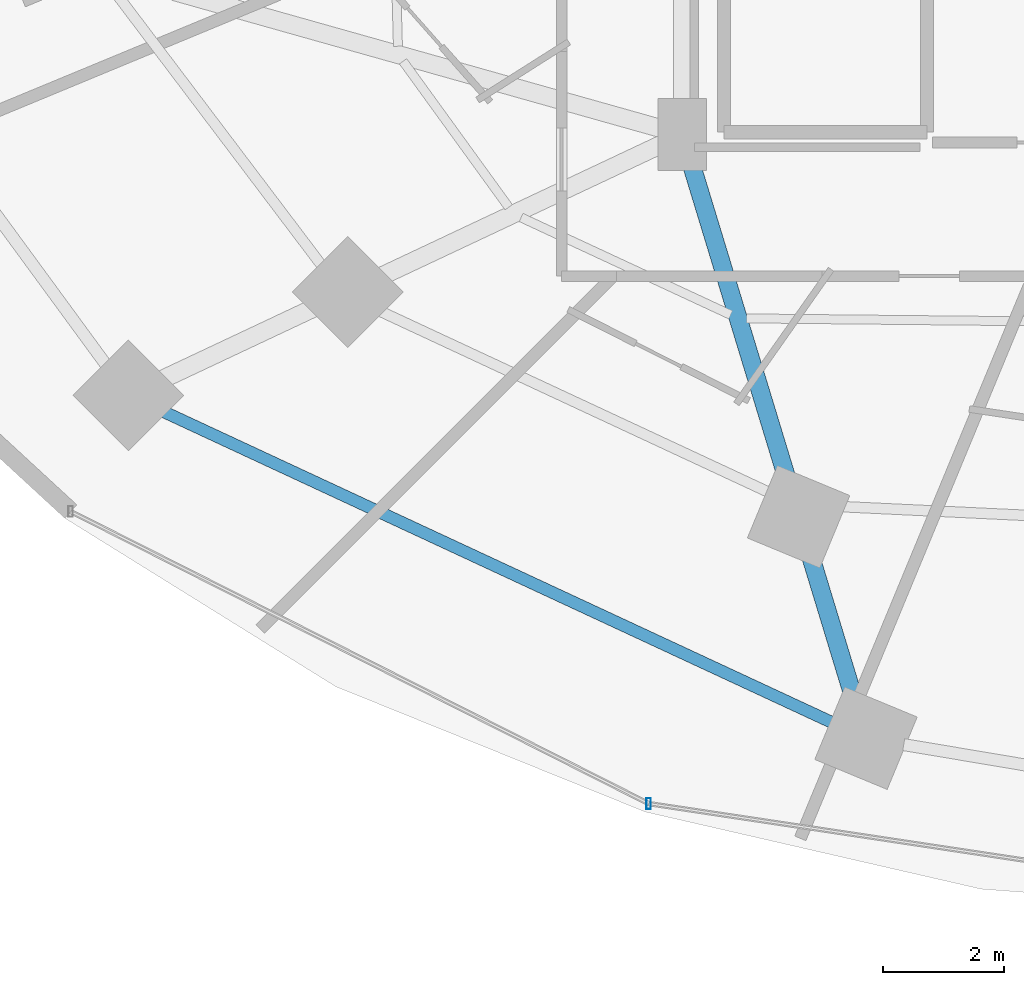
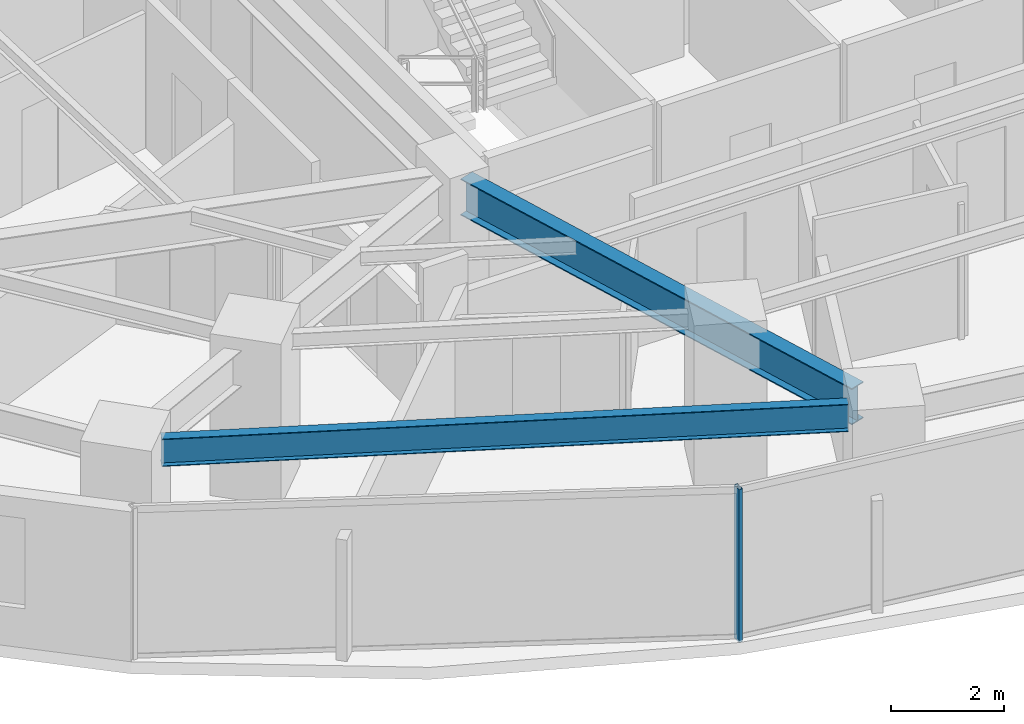
# One storey, part 5 of 34: 2 beams, 1 member, 1 element without a shape of its own.
"""IFC4 building model written with IfcOpenShell, lengths in metres."""

from ifc_helpers import new_model, si_unit, direction, frame, origin, origin_2d, place, context, subcontext, project, spatial, hollow_rectangle, i_section, extrude, material, material_profile, profile_set, type_object, element, aggregate, save


model = new_model("IFC4")

# Units and contexts
model_context = context("Model", 3, precision=1e-05, world=origin(), true_north=direction((0.0, 1.0)))
body_context = subcontext(model_context, "Body", "Model", "MODEL_VIEW")
ifc_project = project(units=[si_unit("LENGTHUNIT", "METRE"), si_unit("AREAUNIT", "SQUARE_METRE"), si_unit("VOLUMEUNIT", "CUBIC_METRE"), si_unit("PLANEANGLEUNIT", "RADIAN"), si_unit("MASSUNIT", "GRAM", prefix="KILO")], contexts=[model_context])

# Site, building, storey
site_placement = place(None, origin())
site = spatial("IfcSite", under=ifc_project, at=site_placement, CompositionType="ELEMENT")
building_placement = place(site_placement, origin())
building = spatial("IfcBuilding", under=site, at=building_placement, Name="Vorneva Point Tower", CompositionType="ELEMENT")
storey_placement = place(building_placement, frame((0.0, 0.0, 27.5)))
storey = spatial("IfcBuildingStorey", under=building, at=storey_placement, Name="L06", CompositionType="ELEMENT", Elevation=27.5)

# Beams
ifc_material_1 = material(Name="Steel S355", Category="steel")
ifc_material_profile_1 = material_profile(ifc_material_1, i_section(OverallWidth=0.300048828125, OverallDepth=0.7880859375, WebThickness=0.014404296875, FlangeThickness=0.02197265625, at=origin_2d()), Name="80Sh1")
ifc_profile_set_1 = profile_set([ifc_material_profile_1], Name="Steel S355")
beam_type_1 = type_object("IfcBeamType", Name="BM-GRD-80Sh1", PredefinedType="USERDEFINED", material=ifc_profile_set_1)
beam_1_placement = place(storey_placement, frame((30.111083984375, 7.045654296875, 2.845947265625), z_axis=(-0.29104183924, 0.956710325967, 0.0), x_axis=(-0.956710325967, -0.29104183924, 0.0)))
element("IfcBeam", 1, at=beam_1_placement, inside=storey, type_object=beam_type_1, Name="L06 Radial Primary Girder 12", ObjectType="GIRDER", PredefinedType="USERDEFINED", context=body_context, shape_type="SweptSolid", body=[
    extrude(i_section(OverallWidth=0.300048828125, OverallDepth=0.7880859375, WebThickness=0.014404296875, FlangeThickness=0.02197265625, at=origin_2d()), origin(), (0.0, 0.0, 1.0), 9.489990234375),
])
ifc_material_profile_2 = material_profile(ifc_material_1, i_section(OverallWidth=0.198974609375, OverallDepth=0.595947265625, WebThickness=0.010009765625, FlangeThickness=0.014892578125, at=origin_2d()), Name="60B1")
ifc_profile_set_2 = profile_set([ifc_material_profile_2], Name="Steel S355")
beam_type_2 = type_object("IfcBeamType", Name="BM-SPN-60B1", PredefinedType="SPANDREL", material=ifc_profile_set_2)
beam_2_placement = place(storey_placement, frame((18.63720703125, 11.8564453125, 2.94189453125), z_axis=(0.906776698196, -0.421611218551, 0.0), x_axis=(0.421611218551, 0.906776698196, 0.0)))
element("IfcBeam", 2, at=beam_2_placement, inside=storey, type_object=beam_type_2, Name="L06 Perimeter Spandrel Ring Beam 11", PredefinedType="SPANDREL", context=body_context, shape_type="SweptSolid", body=[
    extrude(i_section(OverallWidth=0.198974609375, OverallDepth=0.595947265625, WebThickness=0.010009765625, FlangeThickness=0.014892578125, at=origin_2d()), origin(), (0.0, 0.0, 1.0), 12.223388671875),
])

# Curtain wall, member
ifc_material_2 = material(Name="Pale anodised aluminium", Category="aluminium")
curtain_wall_type = type_object("IfcCurtainWallType", Name="CW-HTL-SYS", PredefinedType="NOTDEFINED", material=ifc_material_2)
curtain_wall_placement = place(storey_placement, origin())
curtain_wall = element("IfcCurtainWall", 3, at=curtain_wall_placement, inside=storey, type_object=curtain_wall_type, Name="L06 Unitised Curtain Wall CW-L06-R04", PredefinedType="NOTDEFINED")
ifc_material_profile_3 = material_profile(ifc_material_2, hollow_rectangle(XDim=0.074951171875, YDim=0.179931640625, WallThickness=0.00390625, at=origin_2d()), Name="AL-MUL 180x75x4")
ifc_profile_set_3 = profile_set([ifc_material_profile_3], Name="Pale anodised aluminium")
member_type = type_object("IfcMemberType", Name="CW-MUL-180", PredefinedType="MULLION", material=ifc_profile_set_3)
member_placement = place(storey_placement, frame((26.691650390625, 5.351318359375, -0.0400390625), z_axis=(0.0, 0.0, 1.0), x_axis=(1.0, 0.0, 0.0)))
member = element("IfcMember", 4, at=member_placement, type_object=member_type, Name="CW-L06-R04 Mullion 02", PredefinedType="MULLION", context=body_context, shape_type="SweptSolid", body=[
    extrude(hollow_rectangle(XDim=0.074951171875, YDim=0.179931640625, WallThickness=0.00390625, at=origin_2d()), origin(), (0.0, 0.0, 1.0), 3.31005859375),
])
aggregate(curtain_wall, [member])

save(model, "model.ifc")
